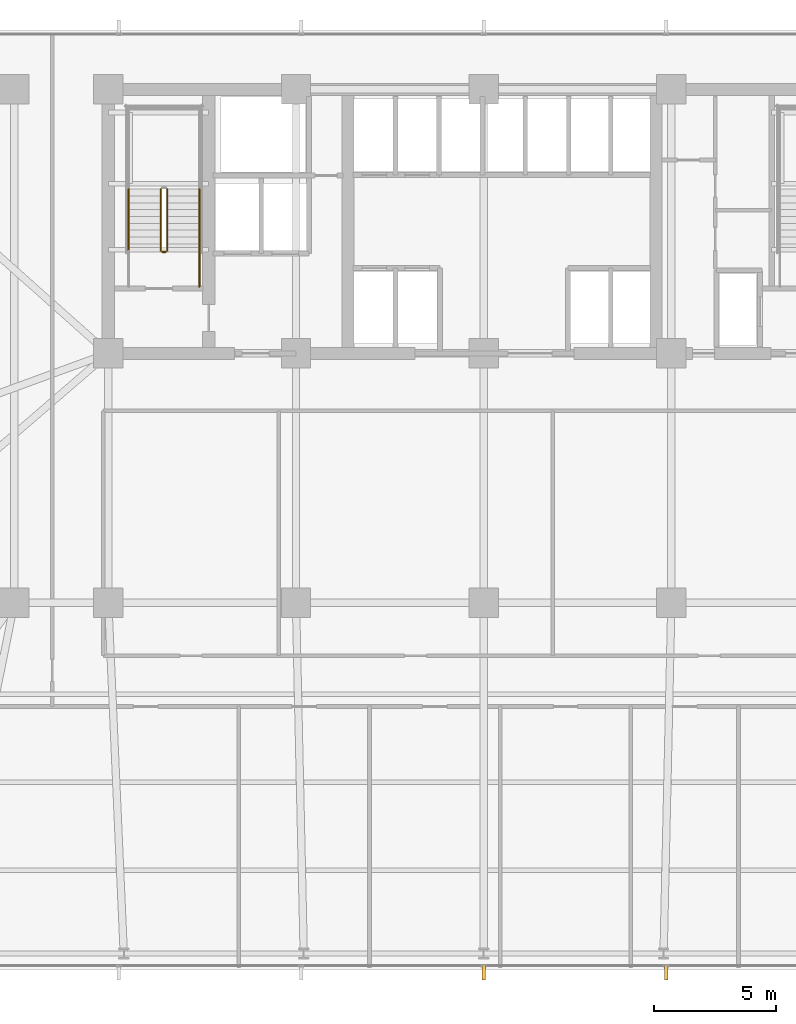
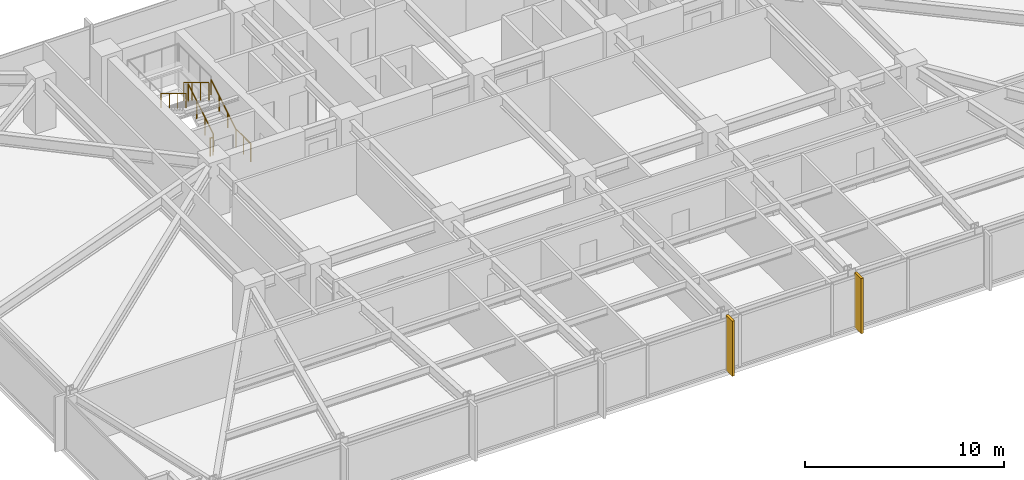
# One storey, part 28 of 32: 6 railings, 2 shading devices.
"""IFC4 building model written with IfcOpenShell, lengths in metres."""

from ifc_helpers import new_model, si_unit, direction, frame, origin, origin_2d, place, context, subcontext, project, spatial, rectangle, circle, extrude, material, layer, layer_set, type_object, element, save


model = new_model("IFC4")

# Units and contexts
model_context = context("Model", 3, precision=1e-05, world=origin(), true_north=direction((0.0, 1.0)))
body_context = subcontext(model_context, "Body", "Model", "MODEL_VIEW")
ifc_project = project(units=[si_unit("LENGTHUNIT", "METRE"), si_unit("AREAUNIT", "SQUARE_METRE"), si_unit("VOLUMEUNIT", "CUBIC_METRE"), si_unit("PLANEANGLEUNIT", "RADIAN"), si_unit("MASSUNIT", "GRAM", prefix="KILO")], contexts=[model_context])

# Site, building, storey
site_placement = place(None, origin())
site = spatial("IfcSite", under=ifc_project, at=site_placement, CompositionType="ELEMENT")
building_placement = place(site_placement, origin())
building = spatial("IfcBuilding", under=site, at=building_placement, Name="Yelkora Congress Tower", CompositionType="ELEMENT")
storey_placement = place(building_placement, frame((0.0, 0.0, 40.60009765625)))
storey = spatial("IfcBuildingStorey", under=building, at=storey_placement, Name="L09", CompositionType="ELEMENT", Elevation=40.60009765625)

# Railings
ifc_material_1 = material(Name="Painted galvanised steel stair well guard with vertical infill", Category="steel")
ifc_layer_1 = layer(ifc_material_1, 0.06005859375)
ifc_layer_set_1 = layer_set([ifc_layer_1], Name="Painted galvanised steel stair well guard with vertical infill")
railing_type_1 = type_object("IfcRailingType", Name="RAIL-STAIR-GUARD-1120", PredefinedType="GUARDRAIL", material=ifc_layer_set_1)
railing_1_placement = place(storey_placement, frame((25.449951171875, 39.60009765625, 0.169921875)))
element("IfcRailing", 1, at=railing_1_placement, inside=storey, type_object=railing_type_1, Name="ST-01 L09 Stair Well Guardrail 1", PredefinedType="GUARDRAIL", context=body_context, shape_type="SweptSolid", body=[
    extrude(circle(Radius=0.02392578125, at=origin_2d()), frame((0.0, 0.0, 1.09619140625), z_axis=(0.0, 0.85478489116, 0.518982456201), x_axis=(-1.0, 0.0, 0.0)), (0.0, 0.0, 1.0), 2.9482421875),
    extrude(circle(Radius=0.02099609375, at=origin_2d()), origin(), (0.0, 0.0, 1.0), 1.072021484375),
    extrude(circle(Radius=0.02099609375, at=origin_2d()), frame((0.0, 0.840087890625, 0.510009765625)), (0.0, 0.0, 1.0), 1.072021484375),
    extrude(circle(Radius=0.02099609375, at=origin_2d()), frame((0.0, 1.679931640625, 1.02001953125)), (0.0, 0.0, 1.0), 1.072021484375),
    extrude(circle(Radius=0.02099609375, at=origin_2d()), frame((0.0, 2.52001953125, 1.530029296875)), (0.0, 0.0, 1.0), 1.072021484375),
])
railing_2_placement = place(storey_placement, frame((25.18994140625, 42.1201171875, 1.869873046875)))
element("IfcRailing", 2, at=railing_2_placement, inside=storey, type_object=railing_type_1, Name="ST-01 L09 Stair Well Guardrail 6", PredefinedType="GUARDRAIL", context=body_context, shape_type="SweptSolid", body=[
    extrude(circle(Radius=0.02392578125, at=origin_2d()), frame((0.0, 0.0, 1.09619140625), z_axis=(0.0, -0.85478489116, 0.518982456201), x_axis=(1.0, 0.0, 0.0)), (0.0, 0.0, 1.0), 2.9482421875),
    extrude(circle(Radius=0.02099609375, at=origin_2d()), origin(), (0.0, 0.0, 1.0), 1.072021484375),
    extrude(circle(Radius=0.02099609375, at=origin_2d()), frame((0.0, -0.840087890625, 0.510009765625)), (0.0, 0.0, 1.0), 1.072021484375),
    extrude(circle(Radius=0.02099609375, at=origin_2d()), frame((0.0, -1.679931640625, 1.02001953125)), (0.0, 0.0, 1.0), 1.072021484375),
    extrude(circle(Radius=0.02099609375, at=origin_2d()), frame((0.0, -2.52001953125, 1.530029296875)), (0.0, 0.0, 1.0), 1.072021484375),
])
railing_3_placement = place(storey_placement, frame((25.39990234375, 39.550048828125, 0.0)))
element("IfcRailing", 3, at=railing_3_placement, inside=storey, type_object=railing_type_1, Name="ST-01 L09 Stair Well Guardrail 7", PredefinedType="GUARDRAIL", context=body_context, shape_type="SweptSolid", body=[
    extrude(circle(Radius=0.02392578125, at=origin_2d()), frame((0.0, 0.0, 1.09619140625), z_axis=(-1.0, 0.0, 0.0), x_axis=(0.0, -1.0, 0.0)), (0.0, 0.0, 1.0), 0.159912109375),
    extrude(circle(Radius=0.02099609375, at=origin_2d()), origin(), (0.0, 0.0, 1.0), 1.072021484375),
    extrude(circle(Radius=0.02099609375, at=origin_2d()), frame((-0.159912109375, 0.0, 0.0)), (0.0, 0.0, 1.0), 1.072021484375),
])
railing_4_placement = place(storey_placement, frame((26.77001953125, 38.1201171875, 0.0)))
element("IfcRailing", 4, at=railing_4_placement, inside=storey, type_object=railing_type_1, Name="ST-01 L09 Stair Well Guardrail 8", PredefinedType="GUARDRAIL", context=body_context, shape_type="SweptSolid", body=[
    extrude(circle(Radius=0.02392578125, at=origin_2d()), frame((0.0, 0.0, 1.09619140625), z_axis=(0.0, 1.0, 0.0), x_axis=(-1.0, 0.0, 0.0)), (0.0, 0.0, 1.0), 1.47998046875),
    extrude(circle(Radius=0.02099609375, at=origin_2d()), origin(), (0.0, 0.0, 1.0), 1.072021484375),
    extrude(circle(Radius=0.02099609375, at=origin_2d()), frame((0.0, 0.739990234375, 0.0)), (0.0, 0.0, 1.0), 1.072021484375),
    extrude(circle(Radius=0.02099609375, at=origin_2d()), frame((0.0, 1.47998046875, 0.0)), (0.0, 0.0, 1.0), 1.072021484375),
])
ifc_material_2 = material(Name="Brushed stainless steel tubular handrail", Category="steel")
ifc_layer_2 = layer(ifc_material_2, 0.050048828125)
ifc_layer_set_2 = layer_set([ifc_layer_2], Name="Brushed stainless steel tubular handrail")
railing_type_2 = type_object("IfcRailingType", Name="RAIL-STAIR-HAND-920", PredefinedType="HANDRAIL", material=ifc_layer_set_2)
railing_5_placement = place(storey_placement, frame((26.77001953125, 39.60009765625, 0.169921875)))
element("IfcRailing", 5, at=railing_5_placement, inside=storey, type_object=railing_type_2, Name="ST-01 L09 Pitch Handrail 1", PredefinedType="HANDRAIL", context=body_context, shape_type="SweptSolid", body=[
    extrude(circle(Radius=0.02392578125, at=origin_2d()), frame((0.0, 0.0, 0.89599609375), z_axis=(0.0, 0.85478489116, 0.518982456201), x_axis=(-1.0, 0.0, 0.0)), (0.0, 0.0, 1.0), 2.9482421875),
    extrude(circle(Radius=0.02099609375, at=origin_2d()), origin(), (0.0, 0.0, 1.0), 0.871826171875),
    extrude(circle(Radius=0.02099609375, at=origin_2d()), frame((0.0, 0.840087890625, 0.510009765625)), (0.0, 0.0, 1.0), 0.871826171875),
    extrude(circle(Radius=0.02099609375, at=origin_2d()), frame((0.0, 1.679931640625, 1.02001953125)), (0.0, 0.0, 1.0), 0.871826171875),
    extrude(circle(Radius=0.02099609375, at=origin_2d()), frame((0.0, 2.52001953125, 1.530029296875)), (0.0, 0.0, 1.0), 0.871826171875),
])
railing_6_placement = place(storey_placement, frame((23.8701171875, 42.1201171875, 1.869873046875)))
element("IfcRailing", 6, at=railing_6_placement, inside=storey, type_object=railing_type_2, Name="ST-01 L09 Pitch Handrail 2", PredefinedType="HANDRAIL", context=body_context, shape_type="SweptSolid", body=[
    extrude(circle(Radius=0.02392578125, at=origin_2d()), frame((0.0, 0.0, 0.89599609375), z_axis=(0.0, -0.85478489116, 0.518982456201), x_axis=(1.0, 0.0, 0.0)), (0.0, 0.0, 1.0), 2.9482421875),
    extrude(circle(Radius=0.02099609375, at=origin_2d()), origin(), (0.0, 0.0, 1.0), 0.871826171875),
    extrude(circle(Radius=0.02099609375, at=origin_2d()), frame((0.0, -0.840087890625, 0.510009765625)), (0.0, 0.0, 1.0), 0.871826171875),
    extrude(circle(Radius=0.02099609375, at=origin_2d()), frame((0.0, -1.679931640625, 1.02001953125)), (0.0, 0.0, 1.0), 0.871826171875),
    extrude(circle(Radius=0.02099609375, at=origin_2d()), frame((0.0, -2.52001953125, 1.530029296875)), (0.0, 0.0, 1.0), 0.871826171875),
])

# Shading devices
ifc_material_3 = material(Name="Champagne anodised aluminium", Category="aluminium")
ifc_layer_3 = layer(ifc_material_3, 3.39990234375)
ifc_layer_set_3 = layer_set([ifc_layer_3], Name="Champagne anodised aluminium")
shading_device_type = type_object("IfcShadingDeviceType", Name="SHD-FIN-ALU-640", PredefinedType="USERDEFINED", material=ifc_layer_set_3)
for number, where, z_axis, x_axis, name in (
    (7, (45.864990234375, 10.080078125, -0.030029296875), (0.0, 0.0, 1.0), (-1.0, 0.0, 0.0), "L09 Vertical Anodised Solar Fin 20-3"),
    (8, (38.39990234375, 10.080078125, -0.030029296875), (0.0, 0.0, 1.0), (-1.0, 0.0, 0.0), "L09 Vertical Anodised Solar Fin 20-4"),
):
    element("IfcShadingDevice", number, at=place(storey_placement, frame(where, z_axis=z_axis, x_axis=x_axis)), inside=storey, type_object=shading_device_type, Name=name, ObjectType="FIN", PredefinedType="USERDEFINED", context=body_context, shape_type="SweptSolid", body=[
        extrude(rectangle(XDim=0.139892578125, YDim=0.639892578125, at=origin_2d()), origin(), (0.0, 0.0, 1.0), 3.3798828125),
    ])

save(model, "model.ifc")
